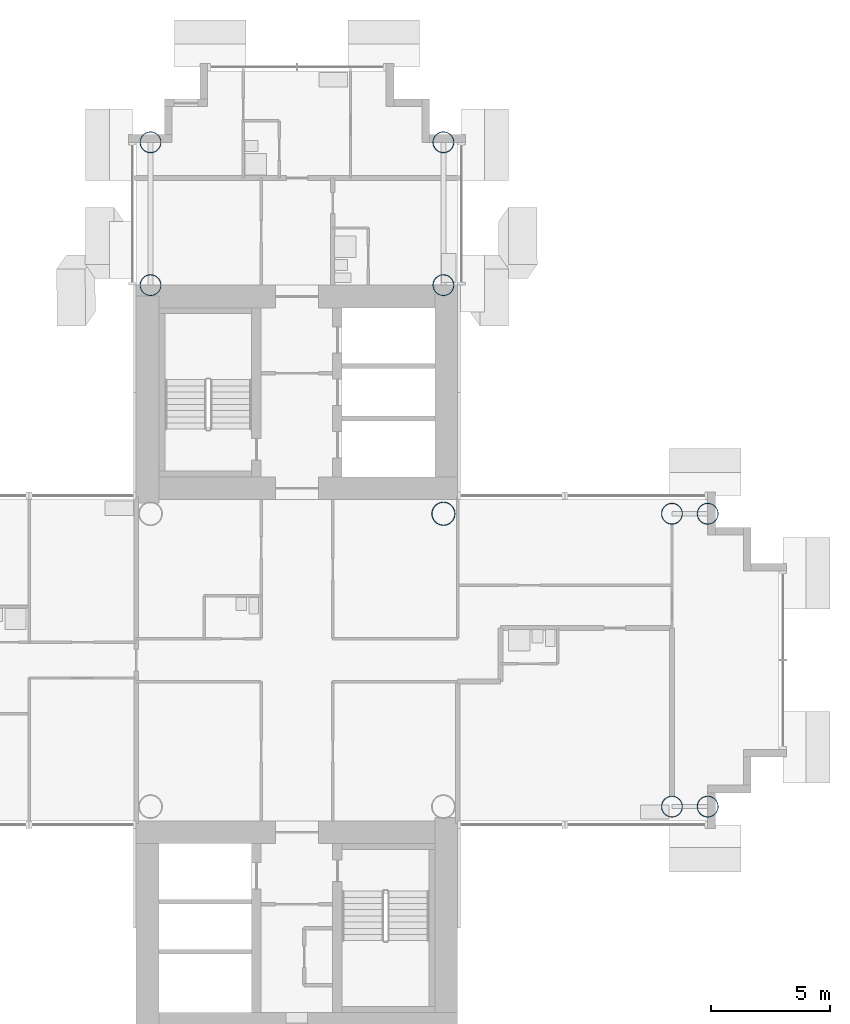
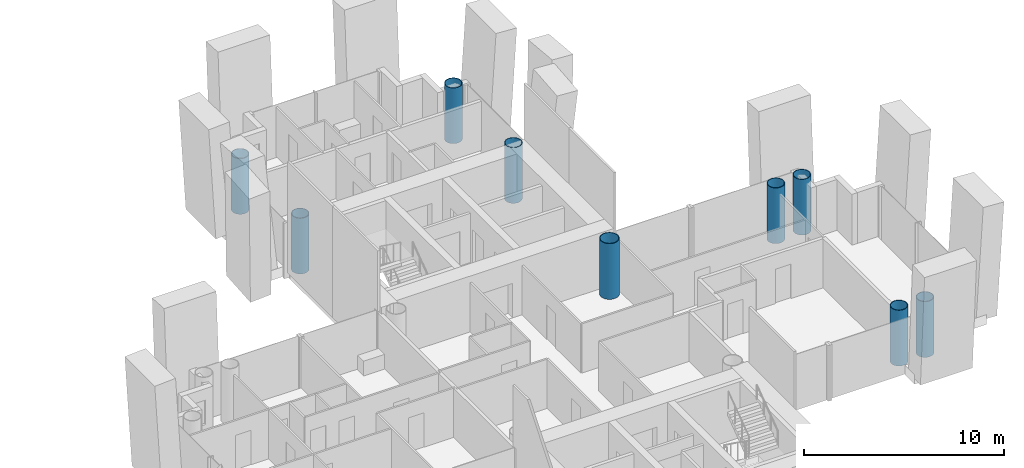
# One storey, part 2 of 21: 9 columns.
"""IFC4 building model written with IfcOpenShell, lengths in metres."""

from ifc_helpers import new_model, si_unit, direction, frame, origin, origin_2d, place, context, subcontext, project, spatial, hollow_circle, extrude, material, material_profile, profile_set, type_object, element, save


model = new_model("IFC4")

# Units and contexts
model_context = context("Model", 3, precision=1e-05, world=origin(), true_north=direction((0.0, 1.0)))
body_context = subcontext(model_context, "Body", "Model", "MODEL_VIEW")
ifc_project = project(units=[si_unit("LENGTHUNIT", "METRE"), si_unit("AREAUNIT", "SQUARE_METRE"), si_unit("VOLUMEUNIT", "CUBIC_METRE"), si_unit("PLANEANGLEUNIT", "RADIAN"), si_unit("MASSUNIT", "GRAM", prefix="KILO")], contexts=[model_context])

# Site, building, storey
site_placement = place(None, origin())
site = spatial("IfcSite", under=ifc_project, at=site_placement, CompositionType="ELEMENT")
building_placement = place(site_placement, origin())
building = spatial("IfcBuilding", under=site, at=building_placement, Name="Ipe Terrace Towers", CompositionType="ELEMENT")
storey_placement = place(building_placement, frame((0.0, 0.0, 107.199951171875)))
storey = spatial("IfcBuildingStorey", under=building, at=storey_placement, Name="L29", CompositionType="ELEMENT", Elevation=107.199951171875)

# Columns
ifc_material_1 = material(Name="Steel S355 tube with Concrete C60/75 fill", Category="concrete")
ifc_material_profile_1 = material_profile(ifc_material_1, hollow_circle(Radius=0.5, WallThickness=0.035888671875, at=origin_2d()), Name="CHS-1000x36")
ifc_profile_set_1 = profile_set([ifc_material_profile_1], Name="Steel S355 tube with Concrete C60/75 fill")
column_type_1 = type_object("IfcColumnType", Name="CH01 COLUMN CHS-1000x36", PredefinedType="COLUMN", material=ifc_profile_set_1)
column_placement = place(storey_placement, frame((42.14990234375, 6.14990234375, 0.0), z_axis=(0.0, 0.0, 1.0), x_axis=(1.0, 0.0, 0.0)))
element("IfcColumn", 1, at=column_placement, inside=storey, type_object=column_type_1, Name="Column T2-C-E02", PredefinedType="COLUMN", context=body_context, shape_type="SweptSolid", body=[
    extrude(hollow_circle(Radius=0.5, WallThickness=0.035888671875, at=origin_2d()), origin(), (0.0, 0.0, 1.0), 3.400146484375),
])
ifc_material_2 = material(Name="Steel S355 tube with Concrete C60/75 fill", Category="concrete")
ifc_material_profile_2 = material_profile(ifc_material_2, hollow_circle(Radius=0.449951171875, WallThickness=0.031982421875, at=origin_2d()), Name="CHS-900x32")
ifc_profile_set_2 = profile_set([ifc_material_profile_2], Name="Steel S355 tube with Concrete C60/75 fill")
column_type_2 = type_object("IfcColumnType", Name="CH10 COLUMN CHS-900x32", PredefinedType="COLUMN", material=ifc_profile_set_2)
for number, where, z_axis, x_axis, name in (
    (2, (42.14990234375, 15.75, 0.0), (0.0, 0.0, 1.0), (1.0, 0.0, 0.0), "Column T2-C-A01"),
    (3, (29.85009765625, 15.75, 0.0), (0.0, 0.0, 1.0), (1.0, 0.0, 0.0), "Column T2-C-A02"),
    (4, (42.14990234375, 21.75, 0.0), (0.0, 0.0, 1.0), (1.0, 0.0, 0.0), "Column T2-C-A03"),
    (5, (29.85009765625, 21.75, 0.0), (0.0, 0.0, 1.0), (1.0, 0.0, 0.0), "Column T2-C-A04"),
    (6, (51.75, -6.14990234375, 0.0), (0.0, 0.0, 1.0), (1.0, 0.0, 0.0), "Column T2-C-D03"),
    (7, (51.75, 6.14990234375, 0.0), (0.0, 0.0, 1.0), (1.0, 0.0, 0.0), "Column T2-C-D04"),
    (8, (53.25, -6.14990234375, 0.0), (0.0, 0.0, 1.0), (1.0, 0.0, 0.0), "Column T2-C-D05"),
    (9, (53.25, 6.14990234375, 0.0), (0.0, 0.0, 1.0), (1.0, 0.0, 0.0), "Column T2-C-D06"),
):
    element("IfcColumn", number, at=place(storey_placement, frame(where, z_axis=z_axis, x_axis=x_axis)), inside=storey, type_object=column_type_2, Name=name, PredefinedType="COLUMN", context=body_context, shape_type="SweptSolid", body=[
        extrude(hollow_circle(Radius=0.449951171875, WallThickness=0.031982421875, at=origin_2d()), origin(), (0.0, 0.0, 1.0), 3.400146484375),
    ])

save(model, "model.ifc")
